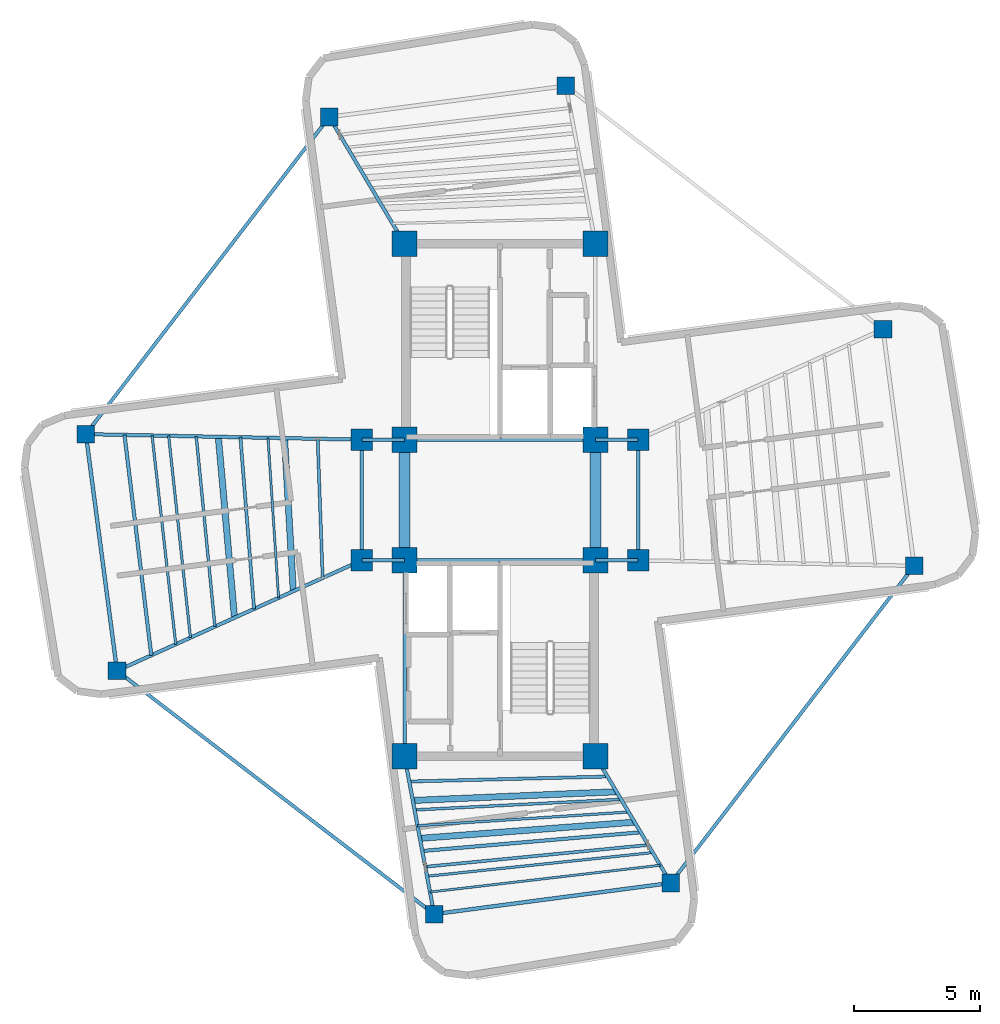
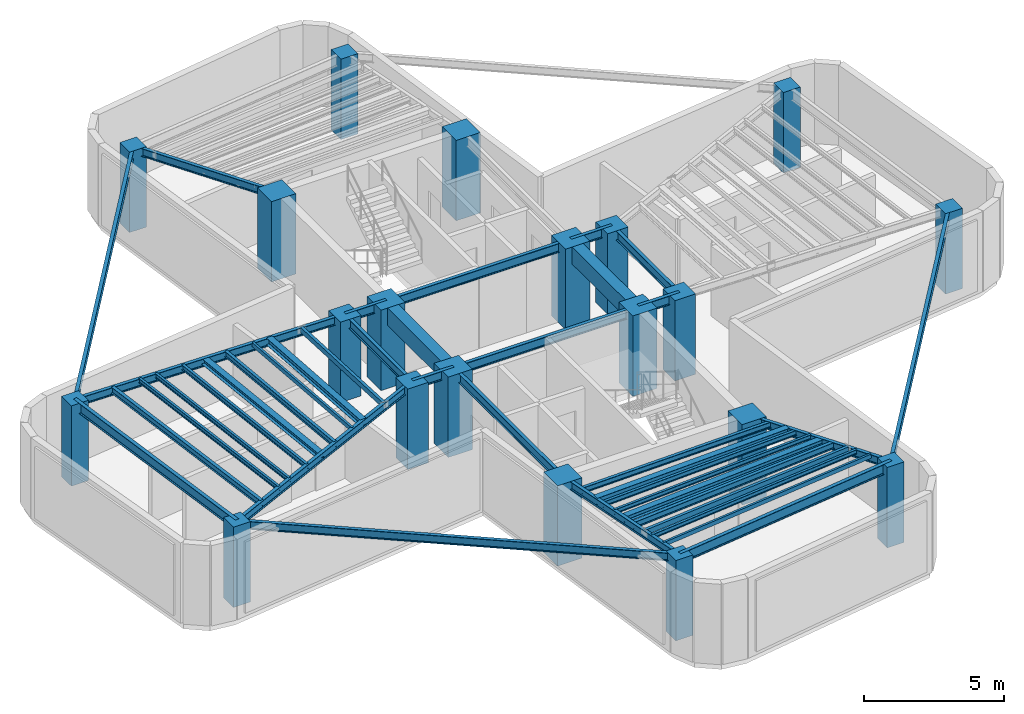
# One storey, part 1 of 6: 39 beams, 20 columns.
"""IFC4 building model written with IfcOpenShell, lengths in metres."""

from ifc_helpers import new_model, si_unit, direction, frame, origin, origin_2d, place, context, subcontext, project, spatial, rectangle, hollow_rectangle, i_section, extrude, source, transform, mapped, material, material_profile, profile_set, type_object, element, save


model = new_model("IFC4")

# Units and contexts
model_context = context("Model", 3, precision=1e-05, world=origin(), true_north=direction((0.0, 1.0)))
body_context = subcontext(model_context, "Body", "Model", "MODEL_VIEW")
ifc_project = project(units=[si_unit("LENGTHUNIT", "METRE"), si_unit("AREAUNIT", "SQUARE_METRE"), si_unit("VOLUMEUNIT", "CUBIC_METRE"), si_unit("PLANEANGLEUNIT", "RADIAN"), si_unit("MASSUNIT", "GRAM", prefix="KILO")], contexts=[model_context])

# Site, building, storey
site_placement = place(None, origin())
site = spatial("IfcSite", under=ifc_project, at=site_placement, CompositionType="ELEMENT")
building_placement = place(site_placement, origin())
building = spatial("IfcBuilding", under=site, at=building_placement, Name="Sahyath Konkavel Grand Hotel", CompositionType="ELEMENT")
storey_placement = place(building_placement, frame((0.0, 0.0, 292.699951171875)))
storey = spatial("IfcBuildingStorey", under=building, at=storey_placement, Name="L81", CompositionType="ELEMENT", Elevation=292.699951171875)

# Columns
ifc_material_1 = material(Name="Concrete C50/60", Category="concrete")
ifc_material_profile_1 = material_profile(ifc_material_1, rectangle(XDim=1.0, YDim=1.0, at=origin_2d()), Name="RC 1000x1000")
ifc_profile_set_1 = profile_set([ifc_material_profile_1], Name="Concrete C50/60")
column_type_1 = type_object("IfcColumnType", Name="COL-RC1000", PredefinedType="COLUMN", material=ifc_profile_set_1)
shared_shape_1 = source(origin(), body_context, "Body", "SweptSolid", [
    extrude(rectangle(XDim=1.0, YDim=1.0, at=origin_2d()), origin(), (0.0, 0.0, 1.0), 3.5),
])
for number, where, z_axis, x_axis, name in (
    (1, (-3.800048828125, 2.39990234375, 0.0), (0.0, 0.0, 1.0), (1.0, 0.0, 0.0), "L81 Core Boundary Column NC-SW"),
    (2, (3.800048828125, 2.39990234375, 0.0), (0.0, 0.0, 1.0), (1.0, 0.0, 0.0), "L81 Core Boundary Column NC-SE"),
    (3, (-3.800048828125, 10.199951171875, 0.0), (0.0, 0.0, 1.0), (1.0, 0.0, 0.0), "L81 Core Boundary Column NC-NW"),
    (4, (3.800048828125, 10.199951171875, 0.0), (0.0, 0.0, 1.0), (1.0, 0.0, 0.0), "L81 Core Boundary Column NC-NE"),
    (5, (-3.800048828125, -2.39990234375, 0.0), (0.0, 0.0, 1.0), (1.0, 0.0, 0.0), "L81 Core Boundary Column SC-NW"),
    (6, (3.800048828125, -2.39990234375, 0.0), (0.0, 0.0, 1.0), (1.0, 0.0, 0.0), "L81 Core Boundary Column SC-NE"),
    (7, (-3.800048828125, -10.199951171875, 0.0), (0.0, 0.0, 1.0), (1.0, 0.0, 0.0), "L81 Core Boundary Column SC-SW"),
    (8, (3.800048828125, -10.199951171875, 0.0), (0.0, 0.0, 1.0), (1.0, 0.0, 0.0), "L81 Core Boundary Column SC-SE"),
):
    element("IfcColumn", number, at=place(storey_placement, frame(where, z_axis=z_axis, x_axis=x_axis)), inside=storey, type_object=column_type_1, Name=name, PredefinedType="COLUMN", context=body_context, shape_type="MappedRepresentation", body=[
        mapped(shared_shape_1, transform((0.0, 0.0, 0.0), scale=1.0)),
    ])
ifc_material_2 = material(Name="Concrete C40/50", Category="concrete")
ifc_material_profile_2 = material_profile(ifc_material_2, rectangle(XDim=0.85009765625, YDim=0.85009765625, at=origin_2d()), Name="RC 850x850")
ifc_profile_set_2 = profile_set([ifc_material_profile_2], Name="Concrete C40/50")
column_type_2 = type_object("IfcColumnType", Name="COL-RC850", PredefinedType="COLUMN", material=ifc_profile_set_2)
shared_shape_2 = source(origin(), body_context, "Body", "SweptSolid", [
    extrude(rectangle(XDim=0.85009765625, YDim=0.85009765625, at=origin_2d()), origin(), (0.0, 0.0, 1.0), 3.5),
])
for number, where, z_axis, x_axis, name in (
    (9, (5.5, 2.39990234375, 0.0), (0.0, 0.0, 1.0), (1.0, 0.0, 0.0), "L81 Central Spine Column HB-NE"),
    (10, (-5.5, 2.39990234375, 0.0), (0.0, 0.0, 1.0), (1.0, 0.0, 0.0), "L81 Central Spine Column HB-NW"),
    (11, (5.5, -2.39990234375, 0.0), (0.0, 0.0, 1.0), (1.0, 0.0, 0.0), "L81 Central Spine Column HB-SE"),
    (12, (-5.5, -2.39990234375, 0.0), (0.0, 0.0, 1.0), (1.0, 0.0, 0.0), "L81 Central Spine Column HB-SW"),
):
    element("IfcColumn", number, at=place(storey_placement, frame(where, z_axis=z_axis, x_axis=x_axis)), inside=storey, type_object=column_type_2, Name=name, PredefinedType="COLUMN", context=body_context, shape_type="MappedRepresentation", body=[
        mapped(shared_shape_2, transform((0.0, 0.0, 0.0), scale=1.0)),
    ])
ifc_material_profile_3 = material_profile(ifc_material_2, rectangle(XDim=0.699951171875, YDim=0.699951171875, at=origin_2d()), Name="RC 700x700")
ifc_profile_set_3 = profile_set([ifc_material_profile_3], Name="Concrete C40/50")
column_type_3 = type_object("IfcColumnType", Name="COL-RC700", PredefinedType="COLUMN", material=ifc_profile_set_3)
shared_shape_3 = source(origin(), body_context, "Body", "SweptSolid", [
    extrude(rectangle(XDim=0.699951171875, YDim=0.699951171875, at=origin_2d()), origin(), (0.0, 0.0, 1.0), 3.5),
])
for number, where, z_axis, x_axis, name in (
    (13, (16.483154296875, -2.620849609375, 0.0), (0.0, 0.0, 1.0), (1.0, 0.0, 0.0), "L81 Cruciform Wing Column WC-EA"),
    (14, (15.2431640625, 6.7978515625, 0.0), (0.0, 0.0, 1.0), (1.0, 0.0, 0.0), "L81 Cruciform Wing Column WC-EB"),
    (15, (2.620849609375, 16.483154296875, 0.0), (0.0, 0.0, 1.0), (1.0, 0.0, 0.0), "L81 Cruciform Wing Column WC-NA"),
    (16, (-6.7978515625, 15.2431640625, 0.0), (0.0, 0.0, 1.0), (1.0, 0.0, 0.0), "L81 Cruciform Wing Column WC-NB"),
    (17, (-16.483154296875, 2.620849609375, 0.0), (0.0, 0.0, 1.0), (1.0, 0.0, 0.0), "L81 Cruciform Wing Column WC-WA"),
    (18, (-15.2431640625, -6.7978515625, 0.0), (0.0, 0.0, 1.0), (1.0, 0.0, 0.0), "L81 Cruciform Wing Column WC-WB"),
    (19, (-2.620849609375, -16.483154296875, 0.0), (0.0, 0.0, 1.0), (1.0, 0.0, 0.0), "L81 Cruciform Wing Column WC-SA"),
    (20, (6.7978515625, -15.2431640625, 0.0), (0.0, 0.0, 1.0), (1.0, 0.0, 0.0), "L81 Cruciform Wing Column WC-SB"),
):
    element("IfcColumn", number, at=place(storey_placement, frame(where, z_axis=z_axis, x_axis=x_axis)), inside=storey, type_object=column_type_3, Name=name, PredefinedType="COLUMN", context=body_context, shape_type="MappedRepresentation", body=[
        mapped(shared_shape_3, transform((0.0, 0.0, 0.0), scale=1.0)),
    ])

# Beams
ifc_material_3 = material(Name="Steel E350", Category="steel")
ifc_material_profile_4 = material_profile(ifc_material_3, i_section(OverallWidth=0.139892578125, OverallDepth=0.39990234375, WebThickness=0.0087890625, FlangeThickness=0.01611328125, FilletRadius=0.013916015625, at=origin_2d()), Name="ISMB 400")
ifc_profile_set_4 = profile_set([ifc_material_profile_4], Name="Steel E350")
beam_type_1 = type_object("IfcBeamType", Name="BM-ISMB400", PredefinedType="BEAM", material=ifc_profile_set_4)
shared_shape_4 = source(origin(), body_context, "Body", "SweptSolid", [
    extrude(i_section(OverallWidth=0.139892578125, OverallDepth=0.39990234375, WebThickness=0.0087890625, FlangeThickness=0.01611328125, FilletRadius=0.013916015625, at=origin_2d()), origin(), (0.0, 0.0, 1.0), 7.60009765625),
])
for number, where, z_axis, x_axis, name in (
    (21, (-3.800048828125, 2.39990234375, 3.300048828125), (1.0, 0.0, 0.0), (0.0, 1.0, 0.0), "str:bm:L81:NC-S"),
    (22, (-3.800048828125, -2.39990234375, 3.300048828125), (1.0, 0.0, 0.0), (0.0, 1.0, 0.0), "str:bm:L81:SC-N"),
):
    element("IfcBeam", number, at=place(storey_placement, frame(where, z_axis=z_axis, x_axis=x_axis)), inside=storey, type_object=beam_type_1, Name=name, PredefinedType="BEAM", context=body_context, shape_type="MappedRepresentation", body=[
        mapped(shared_shape_4, transform((0.0, 0.0, 0.0), scale=1.0)),
    ])
shared_shape_5 = source(origin(), body_context, "Body", "SweptSolid", [
    extrude(i_section(OverallWidth=0.139892578125, OverallDepth=0.39990234375, WebThickness=0.0087890625, FlangeThickness=0.01611328125, FilletRadius=0.013916015625, at=origin_2d()), origin(), (0.0, 0.0, 1.0), 7.800048828125),
])
beam_1_placement = place(storey_placement, frame((-3.800048828125, -10.199951171875, 3.300048828125), z_axis=(0.0, 1.0, 0.0), x_axis=(-1.0, 0.0, 0.0)))
element("IfcBeam", 23, at=beam_1_placement, inside=storey, type_object=beam_type_1, Name="str:bm:L81:SC-W", PredefinedType="BEAM", context=body_context, shape_type="MappedRepresentation", body=[
    mapped(shared_shape_5, transform((0.0, 0.0, 0.0), scale=1.0)),
])
shared_shape_6 = source(origin(), body_context, "Body", "SweptSolid", [
    extrude(i_section(OverallWidth=0.139892578125, OverallDepth=0.39990234375, WebThickness=0.0087890625, FlangeThickness=0.01611328125, FilletRadius=0.013916015625, at=origin_2d()), origin(), (0.0, 0.0, 1.0), 1.699951171875),
])
for number, where, z_axis, x_axis, name in (
    (24, (-5.5, 2.39990234375, 3.300048828125), (1.0, 0.0, 0.0), (0.0, 1.0, 0.0), "str:bm:L81:HB-NW"),
    (25, (3.800048828125, 2.39990234375, 3.300048828125), (1.0, 0.0, 0.0), (0.0, 1.0, 0.0), "str:bm:L81:HB-NE"),
    (26, (-5.5, -2.39990234375, 3.300048828125), (1.0, 0.0, 0.0), (0.0, 1.0, 0.0), "str:bm:L81:HB-SW"),
    (27, (3.800048828125, -2.39990234375, 3.300048828125), (1.0, 0.0, 0.0), (0.0, 1.0, 0.0), "str:bm:L81:HB-SE"),
):
    element("IfcBeam", number, at=place(storey_placement, frame(where, z_axis=z_axis, x_axis=x_axis)), inside=storey, type_object=beam_type_1, Name=name, PredefinedType="BEAM", context=body_context, shape_type="MappedRepresentation", body=[
        mapped(shared_shape_6, transform((0.0, 0.0, 0.0), scale=1.0)),
    ])
shared_shape_7 = source(origin(), body_context, "Body", "SweptSolid", [
    extrude(i_section(OverallWidth=0.139892578125, OverallDepth=0.39990234375, WebThickness=0.0087890625, FlangeThickness=0.01611328125, FilletRadius=0.013916015625, at=origin_2d()), origin(), (0.0, 0.0, 1.0), 4.7998046875),
])
for number, where, z_axis, x_axis, name in (
    (28, (5.5, -2.39990234375, 3.300048828125), (0.0, 1.0, 0.0), (-1.0, 0.0, 0.0), "str:bm:L81:HB-E"),
    (29, (-5.5, -2.39990234375, 3.300048828125), (0.0, 1.0, 0.0), (-1.0, 0.0, 0.0), "str:bm:L81:HB-W"),
):
    element("IfcBeam", number, at=place(storey_placement, frame(where, z_axis=z_axis, x_axis=x_axis)), inside=storey, type_object=beam_type_1, Name=name, PredefinedType="BEAM", context=body_context, shape_type="MappedRepresentation", body=[
        mapped(shared_shape_7, transform((0.0, 0.0, 0.0), scale=1.0)),
    ])
ifc_material_profile_5 = material_profile(ifc_material_2, rectangle(XDim=0.449951171875, YDim=0.75, at=origin_2d()), Name="RC 450x750")
ifc_profile_set_5 = profile_set([ifc_material_profile_5], Name="Concrete C40/50")
beam_type_2 = type_object("IfcBeamType", Name="BM-CB450x750", PredefinedType="LINTEL", material=ifc_profile_set_5)
shared_shape_8 = source(origin(), body_context, "Body", "SweptSolid", [
    extrude(rectangle(XDim=0.449951171875, YDim=0.75, at=origin_2d()), origin(), (0.0, 0.0, 1.0), 4.7998046875),
])
for number, where, z_axis, x_axis, name in (
    (30, (-3.800048828125, -2.39990234375, 3.125), (0.0, 1.0, 0.0), (-1.0, 0.0, 0.0), "L81 Split-Core Coupling Beam West"),
    (31, (3.800048828125, -2.39990234375, 3.125), (0.0, 1.0, 0.0), (-1.0, 0.0, 0.0), "L81 Split-Core Coupling Beam East"),
):
    element("IfcBeam", number, at=place(storey_placement, frame(where, z_axis=z_axis, x_axis=x_axis)), inside=storey, type_object=beam_type_2, Name=name, PredefinedType="LINTEL", context=body_context, shape_type="MappedRepresentation", body=[
        mapped(shared_shape_8, transform((0.0, 0.0, 0.0), scale=1.0)),
    ])
ifc_material_profile_6 = material_profile(ifc_material_3, i_section(OverallWidth=0.14990234375, OverallDepth=0.449951171875, WebThickness=0.009521484375, FlangeThickness=0.017333984375, FilletRadius=0.014892578125, at=origin_2d()), Name="ISMB 450")
ifc_profile_set_6 = profile_set([ifc_material_profile_6], Name="Steel E350")
beam_type_3 = type_object("IfcBeamType", Name="BM-ISMB450", PredefinedType="BEAM", material=ifc_profile_set_6)
shared_shape_9 = source(origin(), body_context, "Body", "SweptSolid", [
    extrude(i_section(OverallWidth=0.14990234375, OverallDepth=0.449951171875, WebThickness=0.009521484375, FlangeThickness=0.017333984375, FilletRadius=0.014892578125, at=origin_2d()), origin(), (0.0, 0.0, 1.0), 9.5),
])
for number, where, z_axis, x_axis, name in (
    (32, (-16.483154296875, 2.620849609375, 3.275146484375), (0.130525643939, -0.991444933556, 0.0), (0.991444933556, 0.130525643939, 0.0), "L81 Wing Tip Edge Beam W"),
    (33, (-2.620849609375, -16.483154296875, 3.275146484375), (0.991444933556, 0.130525643939, 0.0), (-0.130525643939, 0.991444933556, 0.0), "L81 Wing Tip Edge Beam S"),
):
    element("IfcBeam", number, at=place(storey_placement, frame(where, z_axis=z_axis, x_axis=x_axis)), inside=storey, type_object=beam_type_3, Name=name, PredefinedType="BEAM", context=body_context, shape_type="MappedRepresentation", body=[
        mapped(shared_shape_9, transform((0.0, 0.0, 0.0), scale=1.0)),
    ])
ifc_material_profile_7 = material_profile(ifc_material_3, i_section(OverallWidth=0.139892578125, OverallDepth=0.35009765625, WebThickness=0.008056640625, FlangeThickness=0.01416015625, FilletRadius=0.013916015625, at=origin_2d()), Name="ISMB 350")
ifc_profile_set_7 = profile_set([ifc_material_profile_7], Name="Steel E350")
beam_type_4 = type_object("IfcBeamType", Name="BM-ISMB350", PredefinedType="BEAM", material=ifc_profile_set_7)
shared_shape_10 = source(origin(), body_context, "Body", "SweptSolid", [
    extrude(i_section(OverallWidth=0.139892578125, OverallDepth=0.35009765625, WebThickness=0.008056640625, FlangeThickness=0.01416015625, FilletRadius=0.013916015625, at=origin_2d()), origin(), (0.0, 0.0, 1.0), 10.9853515625),
])
beam_2_placement = place(storey_placement, frame((-5.5, 2.39990234375, 3.324951171875), z_axis=(-0.999797716106, 0.020112853337, 0.0), x_axis=(-0.020112853337, -0.999797716106, 0.0)))
element("IfcBeam", 34, at=beam_2_placement, inside=storey, type_object=beam_type_4, Name="L81 Cruciform Radial Girder WA", PredefinedType="BEAM", context=body_context, shape_type="MappedRepresentation", body=[
    mapped(shared_shape_10, transform((0.0, 0.0, 0.0), scale=1.0)),
])
shared_shape_11 = source(origin(), body_context, "Body", "SweptSolid", [
    extrude(i_section(OverallWidth=0.139892578125, OverallDepth=0.35009765625, WebThickness=0.008056640625, FlangeThickness=0.01416015625, FilletRadius=0.013916015625, at=origin_2d()), origin(), (0.0, 0.0, 1.0), 10.689697265625),
])
beam_3_placement = place(storey_placement, frame((-5.5, -2.39990234375, 3.324951171875), z_axis=(-0.911447410295, -0.411416599405, 0.0), x_axis=(0.411416599405, -0.911447410295, 0.0)))
element("IfcBeam", 35, at=beam_3_placement, inside=storey, type_object=beam_type_4, Name="L81 Cruciform Radial Girder WB", PredefinedType="BEAM", context=body_context, shape_type="MappedRepresentation", body=[
    mapped(shared_shape_11, transform((0.0, 0.0, 0.0), scale=1.0)),
])
shared_shape_12 = source(origin(), body_context, "Body", "SweptSolid", [
    extrude(i_section(OverallWidth=0.139892578125, OverallDepth=0.35009765625, WebThickness=0.008056640625, FlangeThickness=0.01416015625, FilletRadius=0.013916015625, at=origin_2d()), origin(), (0.0, 0.0, 1.0), 6.392822265625),
])
beam_4_placement = place(storey_placement, frame((-3.800048828125, -10.199951171875, 3.324951171875), z_axis=(0.184454547999, -0.982841044993, 0.0), x_axis=(0.982841044993, 0.184454547999, 0.0)))
element("IfcBeam", 36, at=beam_4_placement, inside=storey, type_object=beam_type_4, Name="L81 Cruciform Radial Girder SA", PredefinedType="BEAM", context=body_context, shape_type="MappedRepresentation", body=[
    mapped(shared_shape_12, transform((0.0, 0.0, 0.0), scale=1.0)),
])
shared_shape_13 = source(origin(), body_context, "Body", "SweptSolid", [
    extrude(i_section(OverallWidth=0.139892578125, OverallDepth=0.35009765625, WebThickness=0.008056640625, FlangeThickness=0.01416015625, FilletRadius=0.013916015625, at=origin_2d()), origin(), (0.0, 0.0, 1.0), 5.866943359375),
])
for number, where, z_axis, x_axis, name in (
    (37, (-3.800048828125, 10.199951171875, 3.324951171875), (-0.510966539123, 0.859600602546, 0.0), (-0.859600602546, -0.510966539123, 0.0), "L81 Cruciform Radial Girder NB"),
    (38, (3.800048828125, -10.199951171875, 3.324951171875), (0.510966539123, -0.859600602546, 0.0), (0.859600602546, 0.510966539123, 0.0), "L81 Cruciform Radial Girder SB"),
):
    element("IfcBeam", number, at=place(storey_placement, frame(where, z_axis=z_axis, x_axis=x_axis)), inside=storey, type_object=beam_type_4, Name=name, PredefinedType="BEAM", context=body_context, shape_type="MappedRepresentation", body=[
        mapped(shared_shape_13, transform((0.0, 0.0, 0.0), scale=1.0)),
    ])
shared_shape_14 = source(origin(), body_context, "Body", "SweptSolid", [
    extrude(i_section(OverallWidth=0.139892578125, OverallDepth=0.35009765625, WebThickness=0.008056640625, FlangeThickness=0.01416015625, FilletRadius=0.013916015625, at=origin_2d()), origin(), (0.0, 0.0, 1.0), 15.909912109375),
])
for number, where, z_axis, x_axis, name in (
    (39, (-6.7978515625, 15.2431640625, 3.324951171875), (-0.608755898564, -0.79335758392, 0.0), (0.79335758392, -0.608755898564, 0.0), "L81 Re-Entrant Tie Beam NW"),
    (40, (-15.2431640625, -6.7978515625, 3.324951171875), (0.79335758392, -0.608755898564, 0.0), (0.608755898564, 0.79335758392, 0.0), "L81 Re-Entrant Tie Beam SW"),
    (41, (16.483154296875, -2.620849609375, 3.324951171875), (-0.608755898564, -0.79335758392, 0.0), (0.79335758392, -0.608755898564, 0.0), "L81 Re-Entrant Tie Beam SE"),
):
    element("IfcBeam", number, at=place(storey_placement, frame(where, z_axis=z_axis, x_axis=x_axis)), inside=storey, type_object=beam_type_4, Name=name, PredefinedType="BEAM", context=body_context, shape_type="MappedRepresentation", body=[
        mapped(shared_shape_14, transform((0.0, 0.0, 0.0), scale=1.0)),
    ])
ifc_material_profile_8 = material_profile(ifc_material_3, i_section(OverallWidth=0.25, OverallDepth=0.300048828125, WebThickness=0.009521484375, FlangeThickness=0.010498046875, FilletRadius=0.010986328125, at=origin_2d()), Name="ISHB 300")
ifc_profile_set_8 = profile_set([ifc_material_profile_8], Name="Steel E350")
beam_type_5 = type_object("IfcBeamType", Name="BM-ISHB300", PredefinedType="BEAM", material=ifc_profile_set_8)
shared_shape_15 = source(origin(), body_context, "Body", "SweptSolid", [
    extrude(i_section(OverallWidth=0.25, OverallDepth=0.300048828125, WebThickness=0.009521484375, FlangeThickness=0.010498046875, FilletRadius=0.010986328125, at=origin_2d()), origin(), (0.0, 0.0, 1.0), 6.10302734375),
])
beam_5_placement = place(storey_placement, frame((-8.5751953125, 2.4619140625, 3.35009765625), z_axis=(0.056883465537, -0.99838082481, 0.0), x_axis=(0.99838082481, 0.056883465537, 0.0)))
element("IfcBeam", 42, at=beam_5_placement, inside=storey, type_object=beam_type_5, Name="L81 Secondary Floor Beam W-1", PredefinedType="BEAM", context=body_context, shape_type="MappedRepresentation", body=[
    mapped(shared_shape_15, transform((0.0, 0.0, 0.0), scale=1.0)),
])
ifc_material_profile_9 = material_profile(ifc_material_3, i_section(OverallWidth=0.25, OverallDepth=0.25, WebThickness=0.0087890625, FlangeThickness=0.009765625, FilletRadius=0.010009765625, at=origin_2d()), Name="ISHB 250")
ifc_profile_set_9 = profile_set([ifc_material_profile_9], Name="Steel E350")
beam_type_6 = type_object("IfcBeamType", Name="BM-ISHB250", PredefinedType="BEAM", material=ifc_profile_set_9)
shared_shape_16 = source(origin(), body_context, "Body", "SweptSolid", [
    extrude(i_section(OverallWidth=0.25, OverallDepth=0.25, WebThickness=0.0087890625, FlangeThickness=0.009765625, FilletRadius=0.010009765625, at=origin_2d()), origin(), (0.0, 0.0, 1.0), 7.230712890625),
])
beam_6_placement = place(storey_placement, frame((-11.211181640625, 2.514892578125, 3.375), z_axis=(0.089171800482, -0.996016259907, 0.0), x_axis=(0.996016259907, 0.089171800482, 0.0)))
element("IfcBeam", 43, at=beam_6_placement, inside=storey, type_object=beam_type_6, Name="L81 Secondary Floor Beam W-2", PredefinedType="BEAM", context=body_context, shape_type="MappedRepresentation", body=[
    mapped(shared_shape_16, transform((0.0, 0.0, 0.0), scale=1.0)),
])
ifc_material_profile_10 = material_profile(ifc_material_3, i_section(OverallWidth=0.10009765625, OverallDepth=0.199951171875, WebThickness=0.005615234375, FlangeThickness=0.0107421875, FilletRadius=0.010986328125, at=origin_2d()), Name="ISMB 200")
ifc_profile_set_10 = profile_set([ifc_material_profile_10], Name="Steel E350")
beam_type_7 = type_object("IfcBeamType", Name="BM-ISMB200", PredefinedType="BEAM", material=ifc_profile_set_10)
shared_shape_17 = source(origin(), body_context, "Body", "SweptSolid", [
    extrude(i_section(OverallWidth=0.10009765625, OverallDepth=0.199951171875, WebThickness=0.005615234375, FlangeThickness=0.0107421875, FilletRadius=0.010986328125, at=origin_2d()), origin(), (0.0, 0.0, 1.0), 8.36328125),
])
beam_7_placement = place(storey_placement, frame((-13.84716796875, 2.56787109375, 3.400146484375), z_axis=(0.112680437677, -0.99363127918, 0.0), x_axis=(0.99363127918, 0.112680437677, 0.0)))
element("IfcBeam", 44, at=beam_7_placement, inside=storey, type_object=beam_type_7, Name="L81 Secondary Floor Beam W-3", PredefinedType="BEAM", context=body_context, shape_type="MappedRepresentation", body=[
    mapped(shared_shape_17, transform((0.0, 0.0, 0.0), scale=1.0)),
])
shared_shape_18 = source(origin(), body_context, "Body", "SweptSolid", [
    extrude(i_section(OverallWidth=0.25, OverallDepth=0.300048828125, WebThickness=0.009521484375, FlangeThickness=0.010498046875, FilletRadius=0.010986328125, at=origin_2d()), origin(), (0.0, 0.0, 1.0), 8.11669921875),
])
beam_8_placement = place(storey_placement, frame((-3.469970703125, -11.959228515625, 3.35009765625), z_axis=(0.999084879956, 0.042771516718, 0.0), x_axis=(-0.042771516718, 0.999084879956, 0.0)))
element("IfcBeam", 45, at=beam_8_placement, inside=storey, type_object=beam_type_5, Name="L81 Secondary Floor Beam S-1", PredefinedType="BEAM", context=body_context, shape_type="MappedRepresentation", body=[
    mapped(shared_shape_18, transform((0.0, 0.0, 0.0), scale=1.0)),
])
shared_shape_19 = source(origin(), body_context, "Body", "SweptSolid", [
    extrude(i_section(OverallWidth=0.25, OverallDepth=0.25, WebThickness=0.0087890625, FlangeThickness=0.009765625, FilletRadius=0.010009765625, at=origin_2d()), origin(), (0.0, 0.0, 1.0), 8.570068359375),
])
beam_9_placement = place(storey_placement, frame((-3.18701171875, -13.46728515625, 3.375), z_axis=(0.997165854664, 0.075234688098, 0.0), x_axis=(-0.075234688098, 0.997165854664, 0.0)))
element("IfcBeam", 46, at=beam_9_placement, inside=storey, type_object=beam_type_6, Name="L81 Secondary Floor Beam S-2", PredefinedType="BEAM", context=body_context, shape_type="MappedRepresentation", body=[
    mapped(shared_shape_19, transform((0.0, 0.0, 0.0), scale=1.0)),
])
shared_shape_20 = source(origin(), body_context, "Body", "SweptSolid", [
    extrude(i_section(OverallWidth=0.10009765625, OverallDepth=0.199951171875, WebThickness=0.005615234375, FlangeThickness=0.0107421875, FilletRadius=0.010986328125, at=origin_2d()), origin(), (0.0, 0.0, 1.0), 9.031494140625),
])
beam_10_placement = place(storey_placement, frame((-2.90380859375, -14.97509765625, 3.400146484375), z_axis=(0.994541240043, 0.104344246869, 0.0), x_axis=(-0.104344246869, 0.994541240043, 0.0)))
element("IfcBeam", 47, at=beam_10_placement, inside=storey, type_object=beam_type_7, Name="L81 Secondary Floor Beam S-3", PredefinedType="BEAM", context=body_context, shape_type="MappedRepresentation", body=[
    mapped(shared_shape_20, transform((0.0, 0.0, 0.0), scale=1.0)),
])
ifc_material_profile_11 = material_profile(ifc_material_3, hollow_rectangle(XDim=0.1201171875, YDim=0.219970703125, WallThickness=0.010009765625, at=origin_2d()), Name="RHS 220x120x10")
ifc_profile_set_11 = profile_set([ifc_material_profile_11], Name="Steel E350")
beam_type_8 = type_object("IfcBeamType", Name="BM-RHS220", PredefinedType="BEAM", material=ifc_profile_set_11)
shared_shape_21 = source(origin(), body_context, "Body", "SweptSolid", [
    extrude(hollow_rectangle(XDim=0.1201171875, YDim=0.219970703125, WallThickness=0.010009765625, at=origin_2d()), origin(), (0.0, 0.0, 1.0), 5.54248046875),
])
beam_11_placement = place(storey_placement, frame((-7.25732421875, 2.435302734375, 3.39013671875), z_axis=(0.035812512973, -0.999358526213, 0.0), x_axis=(0.999358526213, 0.035812512973, 0.0)))
element("IfcBeam", 48, at=beam_11_placement, inside=storey, type_object=beam_type_8, Name="L81 Composite Deck Sub-Beam W-1", PredefinedType="BEAM", context=body_context, shape_type="MappedRepresentation", body=[
    mapped(shared_shape_21, transform((0.0, 0.0, 0.0), scale=1.0)),
])
ifc_material_profile_12 = material_profile(ifc_material_3, hollow_rectangle(XDim=0.090087890625, YDim=0.179931640625, WallThickness=0.008056640625, at=origin_2d()), Name="RHS 180x90x8")
ifc_profile_set_12 = profile_set([ifc_material_profile_12], Name="Steel E350")
beam_type_9 = type_object("IfcBeamType", Name="BM-RHS180", PredefinedType="BEAM", material=ifc_profile_set_12)
shared_shape_22 = source(origin(), body_context, "Body", "SweptSolid", [
    extrude(hollow_rectangle(XDim=0.090087890625, YDim=0.179931640625, WallThickness=0.008056640625, at=origin_2d()), origin(), (0.0, 0.0, 1.0), 6.38427734375),
])
beam_12_placement = place(storey_placement, frame((-9.234375, 2.47509765625, 3.41015625), z_axis=(0.066041839115, -0.997816854681, 0.0), x_axis=(0.997816854681, 0.066041839115, 0.0)))
element("IfcBeam", 49, at=beam_12_placement, inside=storey, type_object=beam_type_9, Name="L81 Composite Deck Sub-Beam W-2", PredefinedType="BEAM", context=body_context, shape_type="MappedRepresentation", body=[
    mapped(shared_shape_22, transform((0.0, 0.0, 0.0), scale=1.0)),
])
ifc_material_profile_13 = material_profile(ifc_material_3, i_section(OverallWidth=0.125, OverallDepth=0.25, WebThickness=0.0068359375, FlangeThickness=0.012451171875, FilletRadius=0.012939453125, at=origin_2d()), Name="ISMB 250")
ifc_profile_set_13 = profile_set([ifc_material_profile_13], Name="Steel E350")
beam_type_10 = type_object("IfcBeamType", Name="BM-ISMB250", PredefinedType="BEAM", material=ifc_profile_set_13)
shared_shape_23 = source(origin(), body_context, "Body", "SweptSolid", [
    extrude(i_section(OverallWidth=0.125, OverallDepth=0.25, WebThickness=0.0068359375, FlangeThickness=0.012451171875, FilletRadius=0.012939453125, at=origin_2d()), origin(), (0.0, 0.0, 1.0), 6.85400390625),
])
beam_13_placement = place(storey_placement, frame((-10.33251953125, 2.497314453125, 3.375), z_axis=(0.079575331875, -0.996828855199, 0.0), x_axis=(0.996828855199, 0.079575331875, 0.0)))
element("IfcBeam", 50, at=beam_13_placement, inside=storey, type_object=beam_type_10, Name="L81 Composite Deck Sub-Beam W-3", PredefinedType="BEAM", context=body_context, shape_type="MappedRepresentation", body=[
    mapped(shared_shape_23, transform((0.0, 0.0, 0.0), scale=1.0)),
])
ifc_material_profile_14 = material_profile(ifc_material_3, i_section(OverallWidth=0.110107421875, OverallDepth=0.22509765625, WebThickness=0.006591796875, FlangeThickness=0.01171875, FilletRadius=0.011962890625, at=origin_2d()), Name="ISMB 225")
ifc_profile_set_14 = profile_set([ifc_material_profile_14], Name="Steel E350")
beam_type_11 = type_object("IfcBeamType", Name="BM-ISMB225", PredefinedType="BEAM", material=ifc_profile_set_14)
shared_shape_24 = source(origin(), body_context, "Body", "SweptSolid", [
    extrude(i_section(OverallWidth=0.110107421875, OverallDepth=0.22509765625, WebThickness=0.006591796875, FlangeThickness=0.01171875, FilletRadius=0.011962890625, at=origin_2d()), origin(), (0.0, 0.0, 1.0), 7.607666015625),
])
beam_14_placement = place(storey_placement, frame((-12.08984375, 2.532470703125, 3.387451171875), z_axis=(0.09778145576, -0.995207911398, 0.0), x_axis=(0.995207911398, 0.09778145576, 0.0)))
element("IfcBeam", 51, at=beam_14_placement, inside=storey, type_object=beam_type_11, Name="L81 Composite Deck Sub-Beam W-4", PredefinedType="BEAM", context=body_context, shape_type="MappedRepresentation", body=[
    mapped(shared_shape_24, transform((0.0, 0.0, 0.0), scale=1.0)),
])
shared_shape_25 = source(origin(), body_context, "Body", "SweptSolid", [
    extrude(i_section(OverallWidth=0.10009765625, OverallDepth=0.199951171875, WebThickness=0.005615234375, FlangeThickness=0.0107421875, FilletRadius=0.010986328125, at=origin_2d()), origin(), (0.0, 0.0, 1.0), 8.079833984375),
])
beam_15_placement = place(storey_placement, frame((-13.188232421875, 2.5546875, 3.400146484375), z_axis=(0.107416459243, -0.994214113903, 0.0), x_axis=(0.994214113903, 0.107416459243, 0.0)))
element("IfcBeam", 52, at=beam_15_placement, inside=storey, type_object=beam_type_7, Name="L81 Composite Deck Sub-Beam W-5", PredefinedType="BEAM", context=body_context, shape_type="MappedRepresentation", body=[
    mapped(shared_shape_25, transform((0.0, 0.0, 0.0), scale=1.0)),
])
ifc_material_profile_15 = material_profile(ifc_material_3, i_section(OverallWidth=0.139892578125, OverallDepth=0.27490234375, WebThickness=0.00634765625, FlangeThickness=0.0087890625, FilletRadius=0.012939453125, at=origin_2d()), Name="ISLB 275")
ifc_profile_set_15 = profile_set([ifc_material_profile_15], Name="Steel E350")
beam_type_12 = type_object("IfcBeamType", Name="BM-ISLB275", PredefinedType="BEAM", material=ifc_profile_set_15)
shared_shape_26 = source(origin(), body_context, "Body", "SweptSolid", [
    extrude(i_section(OverallWidth=0.139892578125, OverallDepth=0.27490234375, WebThickness=0.00634765625, FlangeThickness=0.0087890625, FilletRadius=0.012939453125, at=origin_2d()), origin(), (0.0, 0.0, 1.0), 8.8369140625),
])
beam_16_placement = place(storey_placement, frame((-14.945556640625, 2.590087890625, 3.362548828125), z_axis=(0.120677894343, -0.992691717411, 0.0), x_axis=(0.992691717411, 0.120677894343, 0.0)))
element("IfcBeam", 53, at=beam_16_placement, inside=storey, type_object=beam_type_12, Name="L81 Composite Deck Sub-Beam W-6", PredefinedType="BEAM", context=body_context, shape_type="MappedRepresentation", body=[
    mapped(shared_shape_26, transform((0.0, 0.0, 0.0), scale=1.0)),
])
shared_shape_27 = source(origin(), body_context, "Body", "SweptSolid", [
    extrude(i_section(OverallWidth=0.125, OverallDepth=0.25, WebThickness=0.0068359375, FlangeThickness=0.012451171875, FilletRadius=0.012939453125, at=origin_2d()), origin(), (0.0, 0.0, 1.0), 7.893310546875),
])
beam_17_placement = place(storey_placement, frame((-3.611328125, -11.205322265625, 3.375), z_axis=(0.999683790083, 0.025145970772, 0.0), x_axis=(-0.025145970772, 0.999683790083, 0.0)))
element("IfcBeam", 54, at=beam_17_placement, inside=storey, type_object=beam_type_10, Name="L81 Composite Deck Sub-Beam S-1", PredefinedType="BEAM", context=body_context, shape_type="MappedRepresentation", body=[
    mapped(shared_shape_27, transform((0.0, 0.0, 0.0), scale=1.0)),
])
shared_shape_28 = source(origin(), body_context, "Body", "SweptSolid", [
    extrude(i_section(OverallWidth=0.110107421875, OverallDepth=0.22509765625, WebThickness=0.006591796875, FlangeThickness=0.01171875, FilletRadius=0.011962890625, at=origin_2d()), origin(), (0.0, 0.0, 1.0), 8.229248046875),
])
beam_18_placement = place(storey_placement, frame((-3.399169921875, -12.336181640625, 3.387451171875), z_axis=(0.998688130329, 0.051205647534, 0.0), x_axis=(-0.051205647534, 0.998688130329, 0.0)))
element("IfcBeam", 55, at=beam_18_placement, inside=storey, type_object=beam_type_11, Name="L81 Composite Deck Sub-Beam S-2", PredefinedType="BEAM", context=body_context, shape_type="MappedRepresentation", body=[
    mapped(shared_shape_28, transform((0.0, 0.0, 0.0), scale=1.0)),
])
shared_shape_29 = source(origin(), body_context, "Body", "SweptSolid", [
    extrude(i_section(OverallWidth=0.10009765625, OverallDepth=0.199951171875, WebThickness=0.005615234375, FlangeThickness=0.0107421875, FilletRadius=0.010986328125, at=origin_2d()), origin(), (0.0, 0.0, 1.0), 8.41796875),
])
beam_19_placement = place(storey_placement, frame((-3.28125, -12.964599609375, 3.400146484375), z_axis=(0.997896901011, 0.064821099595, 0.0), x_axis=(-0.064821099595, 0.997896901011, 0.0)))
element("IfcBeam", 56, at=beam_19_placement, inside=storey, type_object=beam_type_7, Name="L81 Composite Deck Sub-Beam S-3", PredefinedType="BEAM", context=body_context, shape_type="MappedRepresentation", body=[
    mapped(shared_shape_29, transform((0.0, 0.0, 0.0), scale=1.0)),
])
shared_shape_30 = source(origin(), body_context, "Body", "SweptSolid", [
    extrude(i_section(OverallWidth=0.139892578125, OverallDepth=0.27490234375, WebThickness=0.00634765625, FlangeThickness=0.0087890625, FilletRadius=0.012939453125, at=origin_2d()), origin(), (0.0, 0.0, 1.0), 8.722900390625),
])
beam_20_placement = place(storey_placement, frame((-3.092529296875, -13.969970703125, 3.362548828125), z_axis=(0.996354605721, 0.085308262542, 0.0), x_axis=(-0.085308262542, 0.996354605721, 0.0)))
element("IfcBeam", 57, at=beam_20_placement, inside=storey, type_object=beam_type_12, Name="L81 Composite Deck Sub-Beam S-4", PredefinedType="BEAM", context=body_context, shape_type="MappedRepresentation", body=[
    mapped(shared_shape_30, transform((0.0, 0.0, 0.0), scale=1.0)),
])
shared_shape_31 = source(origin(), body_context, "Body", "SweptSolid", [
    extrude(hollow_rectangle(XDim=0.1201171875, YDim=0.219970703125, WallThickness=0.010009765625, at=origin_2d()), origin(), (0.0, 0.0, 1.0), 8.915283203125),
])
beam_21_placement = place(storey_placement, frame((-2.974609375, -14.59814453125, 3.39013671875), z_axis=(0.995250138935, 0.097350711092, 0.0), x_axis=(-0.097350711092, 0.995250138935, 0.0)))
element("IfcBeam", 58, at=beam_21_placement, inside=storey, type_object=beam_type_8, Name="L81 Composite Deck Sub-Beam S-5", PredefinedType="BEAM", context=body_context, shape_type="MappedRepresentation", body=[
    mapped(shared_shape_31, transform((0.0, 0.0, 0.0), scale=1.0)),
])
shared_shape_32 = source(origin(), body_context, "Body", "SweptSolid", [
    extrude(hollow_rectangle(XDim=0.090087890625, YDim=0.179931640625, WallThickness=0.008056640625, at=origin_2d()), origin(), (0.0, 0.0, 1.0), 9.225830078125),
])
beam_22_placement = place(storey_placement, frame((-2.785888671875, -15.603515625, 3.41015625), z_axis=(0.993297209422, 0.115588294191, 0.0), x_axis=(-0.115588294191, 0.993297209422, 0.0)))
element("IfcBeam", 59, at=beam_22_placement, inside=storey, type_object=beam_type_9, Name="L81 Composite Deck Sub-Beam S-6", PredefinedType="BEAM", context=body_context, shape_type="MappedRepresentation", body=[
    mapped(shared_shape_32, transform((0.0, 0.0, 0.0), scale=1.0)),
])

save(model, "model.ifc")
